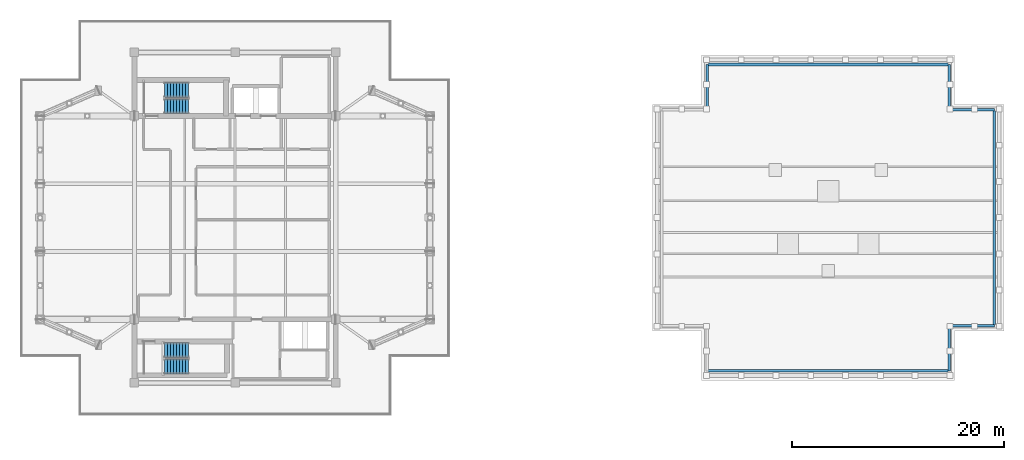
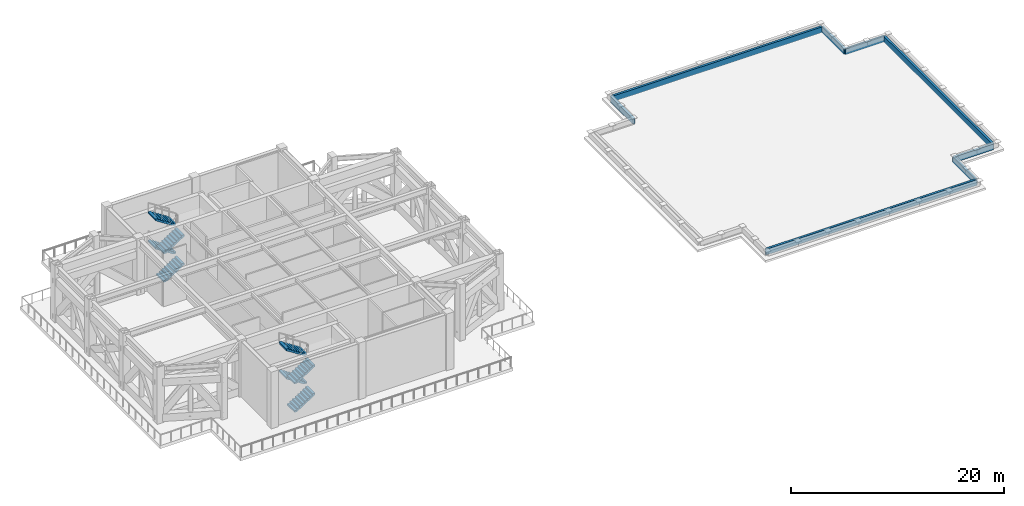
# One storey, part 7 of 11: 8 stair flights, 8 walls, 2 elements without a shape of their own.
"""IFC4 building model written with IfcOpenShell, lengths in metres."""

from ifc_helpers import new_model, si_unit, direction, frame, frame_2d, origin, place, context, subcontext, project, spatial, polyline, rectangle, outline, extrude, material, layer, layer_set, type_object, element, aggregate, save


model = new_model("IFC4")

# Units and contexts
model_context = context("Model", 3, precision=1e-05, world=origin(), true_north=direction((0.0, 1.0)))
body_context = subcontext(model_context, "Body", "Model", "MODEL_VIEW")
ifc_project = project(units=[si_unit("LENGTHUNIT", "METRE"), si_unit("AREAUNIT", "SQUARE_METRE"), si_unit("VOLUMEUNIT", "CUBIC_METRE"), si_unit("PLANEANGLEUNIT", "RADIAN"), si_unit("MASSUNIT", "GRAM", prefix="KILO")], contexts=[model_context])

# Site, building, storey
site_placement = place(None, origin())
site = spatial("IfcSite", under=ifc_project, at=site_placement, CompositionType="ELEMENT")
building_placement = place(site_placement, origin())
building = spatial("IfcBuilding", under=site, at=building_placement, Name="Mirazonda Arch Towers", CompositionType="ELEMENT")
storey_placement = place(building_placement, frame((0.0, 0.0, 212.89990234375)))
storey = spatial("IfcBuildingStorey", under=building, at=storey_placement, Name="L61", CompositionType="ELEMENT", Elevation=212.89990234375)

# Walls
ifc_material = material(Name="Concrete C40/50", Category="concrete")
ifc_layer = layer(ifc_material, 0.239990234375, Name="WALL-PARAPET-240")
ifc_layer_set = layer_set([ifc_layer], Name="Concrete C40/50")
wall_type = type_object("IfcWallType", Name="WALL-PARAPET-240", PredefinedType="PARAPET", material=ifc_layer_set)
wall_1_placement = place(storey_placement, frame((65.062255859375, 13.54150390625, 0.0), z_axis=(0.0, 0.0, 1.0), x_axis=(1.0, 0.0, 0.0)))
element("IfcWall", 1, at=wall_1_placement, inside=storey, type_object=wall_type, Name="T2 Crown Roof Maintenance Parapet 01", PredefinedType="PARAPET", context=body_context, shape_type="SweptSolid", body=[
    extrude(rectangle(XDim=22.87548828125, YDim=0.239990234375, at=frame_2d((11.437744140625, 0.0))), origin(), (0.0, 0.0, 1.0), 0.650146484375),
])
for number, where, z_axis, x_axis, name in (
    (2, (87.937744140625, 13.54150390625, 0.0), (0.0, 0.0, 1.0), (0.0, 1.0, 0.0), "T2 Crown Roof Maintenance Parapet 02"),
    (3, (87.937744140625, 17.80126953125, 0.0), (0.0, 0.0, 1.0), (1.0, 0.0, 0.0), "T2 Crown Roof Maintenance Parapet 03"),
):
    element("IfcWall", number, at=place(storey_placement, frame(where, z_axis=z_axis, x_axis=x_axis)), inside=storey, type_object=wall_type, Name=name, PredefinedType="PARAPET", context=body_context, shape_type="SweptSolid", body=[
        extrude(rectangle(XDim=4.259765625, YDim=0.239990234375, at=frame_2d((2.1298828125, 0.0))), origin(), (0.0, 0.0, 1.0), 0.650146484375),
    ])
wall_2_placement = place(storey_placement, frame((92.197509765625, 17.80126953125, 0.0), z_axis=(0.0, 0.0, 1.0), x_axis=(0.0, 1.0, 0.0)))
element("IfcWall", 4, at=wall_2_placement, inside=storey, type_object=wall_type, Name="T2 Crown Roof Maintenance Parapet 04", PredefinedType="PARAPET", context=body_context, shape_type="SweptSolid", body=[
    extrude(rectangle(XDim=20.3974609375, YDim=0.239990234375, at=frame_2d((10.19873046875, 0.0))), origin(), (0.0, 0.0, 1.0), 0.650146484375),
])
for number, where, z_axis, x_axis, name in (
    (5, (92.197509765625, 38.19873046875, 0.0), (0.0, 0.0, 1.0), (-1.0, 0.0, 0.0), "T2 Crown Roof Maintenance Parapet 05"),
    (6, (87.937744140625, 38.19873046875, 0.0), (0.0, 0.0, 1.0), (0.0, 1.0, 0.0), "T2 Crown Roof Maintenance Parapet 06"),
):
    element("IfcWall", number, at=place(storey_placement, frame(where, z_axis=z_axis, x_axis=x_axis)), inside=storey, type_object=wall_type, Name=name, PredefinedType="PARAPET", context=body_context, shape_type="SweptSolid", body=[
        extrude(rectangle(XDim=4.259765625, YDim=0.239990234375, at=frame_2d((2.1298828125, 0.0))), origin(), (0.0, 0.0, 1.0), 0.650146484375),
    ])
wall_3_placement = place(storey_placement, frame((87.937744140625, 42.45849609375, 0.0), z_axis=(0.0, 0.0, 1.0), x_axis=(-1.0, 0.0, 0.0)))
element("IfcWall", 7, at=wall_3_placement, inside=storey, type_object=wall_type, Name="T2 Crown Roof Maintenance Parapet 07", PredefinedType="PARAPET", context=body_context, shape_type="SweptSolid", body=[
    extrude(rectangle(XDim=22.87548828125, YDim=0.239990234375, at=frame_2d((11.437744140625, 0.0))), origin(), (0.0, 0.0, 1.0), 0.650146484375),
])
wall_4_placement = place(storey_placement, frame((65.062255859375, 42.45849609375, 0.0), z_axis=(0.0, 0.0, 1.0), x_axis=(0.0, -1.0, 0.0)))
element("IfcWall", 8, at=wall_4_placement, inside=storey, type_object=wall_type, Name="T2 Crown Roof Maintenance Parapet 08", PredefinedType="PARAPET", context=body_context, shape_type="SweptSolid", body=[
    extrude(rectangle(XDim=4.259765625, YDim=0.239990234375, at=frame_2d((2.1298828125, 0.0))), origin(), (0.0, 0.0, 1.0), 0.650146484375),
])

# Stair, stair flights
stair_type = type_object("IfcStairType", Name="STAIR-CORE-1400", PredefinedType="HALF_TURN_STAIR", material=ifc_material)
stair_1_placement = place(storey_placement, origin())
stair_1 = element("IfcStair", 9, at=stair_1_placement, inside=storey, type_object=stair_type, Name="L61 Protected Exit Stair ST-T1N", PredefinedType="HALF_TURN_STAIR")
stair_flight_type = type_object("IfcStairFlightType", Name="FLIGHT-1400", PredefinedType="STRAIGHT", material=ifc_material)
stair_flight_1_placement = place(storey_placement, frame((13.85009765625, 38.52001953125, 0.0), z_axis=(0.0, 0.0, 1.0), x_axis=(1.0, 0.0, 0.0)))
stair_flight_1 = element("IfcStairFlight", 10, at=stair_flight_1_placement, type_object=stair_flight_type, Name="ST-T1N flight 1", NumberOfRisers=9, NumberOfTreads=8, PredefinedType="STRAIGHT", RiserHeight=0.180555556, TreadLength=0.28, context=body_context, shape_type="SweptSolid", body=[
    extrude(outline(polyline([(0.0, 0.0), (0.0, 0.1806640625), (0.280029296875, 0.1806640625), (0.280029296875, 0.361083984375), (0.56005859375, 0.361083984375), (0.56005859375, 0.541748046875), (0.840087890625, 0.541748046875), (0.840087890625, 0.72216796875), (1.1201171875, 0.72216796875), (1.1201171875, 0.90283203125), (1.39990234375, 0.90283203125), (1.39990234375, 1.083251953125), (1.679931640625, 1.083251953125), (1.679931640625, 1.263916015625), (1.9599609375, 1.263916015625), (1.9599609375, 1.4443359375), (2.239990234375, 1.4443359375), (2.239990234375, 1.625), (2.239990234375, 1.254150390625), (0.295166015625, 0.0), (0.0, 0.0)])), frame((0.0, 0.699951171875, 0.0), z_axis=(0.0, -1.0, 0.0), x_axis=(1.0, 0.0, 0.0)), (0.0, 0.0, 1.0), 1.39990234375),
])
stair_flight_2_placement = place(storey_placement, frame((16.090087890625, 40.06005859375, 1.625), z_axis=(0.0, 0.0, 1.0), x_axis=(-1.0, 0.0, 0.0)))
stair_flight_2 = element("IfcStairFlight", 11, at=stair_flight_2_placement, type_object=stair_flight_type, Name="ST-T1N flight 2", NumberOfRisers=9, NumberOfTreads=8, PredefinedType="STRAIGHT", RiserHeight=0.180555556, TreadLength=0.28, context=body_context, shape_type="SweptSolid", body=[
    extrude(outline(polyline([(0.0, 0.0), (0.0, 0.1806640625), (0.280029296875, 0.1806640625), (0.280029296875, 0.361083984375), (0.56005859375, 0.361083984375), (0.56005859375, 0.541748046875), (0.840087890625, 0.541748046875), (0.840087890625, 0.72216796875), (1.1201171875, 0.72216796875), (1.1201171875, 0.90283203125), (1.39990234375, 0.90283203125), (1.39990234375, 1.083251953125), (1.679931640625, 1.083251953125), (1.679931640625, 1.263916015625), (1.9599609375, 1.263916015625), (1.9599609375, 1.4443359375), (2.239990234375, 1.4443359375), (2.239990234375, 1.625), (2.239990234375, 1.254150390625), (0.295166015625, 0.0), (0.0, 0.0)])), frame((0.0, 0.699951171875, 0.0), z_axis=(0.0, -1.0, 0.0), x_axis=(1.0, 0.0, 0.0)), (0.0, 0.0, 1.0), 1.39990234375),
])
stair_flight_3_placement = place(storey_placement, frame((13.85009765625, 38.52001953125, 3.25), z_axis=(0.0, 0.0, 1.0), x_axis=(1.0, 0.0, 0.0)))
stair_flight_3 = element("IfcStairFlight", 12, at=stair_flight_3_placement, type_object=stair_flight_type, Name="ST-T1N flight 3", NumberOfRisers=9, NumberOfTreads=8, PredefinedType="STRAIGHT", RiserHeight=0.180555556, TreadLength=0.28, context=body_context, shape_type="SweptSolid", body=[
    extrude(outline(polyline([(0.0, 0.0), (0.0, 0.1806640625), (0.280029296875, 0.1806640625), (0.280029296875, 0.361083984375), (0.56005859375, 0.361083984375), (0.56005859375, 0.541748046875), (0.840087890625, 0.541748046875), (0.840087890625, 0.72216796875), (1.1201171875, 0.72216796875), (1.1201171875, 0.90283203125), (1.39990234375, 0.90283203125), (1.39990234375, 1.083251953125), (1.679931640625, 1.083251953125), (1.679931640625, 1.263916015625), (1.9599609375, 1.263916015625), (1.9599609375, 1.4443359375), (2.239990234375, 1.4443359375), (2.239990234375, 1.625), (2.239990234375, 1.254150390625), (0.295166015625, 0.0), (0.0, 0.0)])), frame((0.0, 0.699951171875, 0.0), z_axis=(0.0, -1.0, 0.0), x_axis=(1.0, 0.0, 0.0)), (0.0, 0.0, 1.0), 1.39990234375),
])
stair_flight_4_placement = place(storey_placement, frame((16.090087890625, 40.06005859375, 4.875), z_axis=(0.0, 0.0, 1.0), x_axis=(-1.0, 0.0, 0.0)))
stair_flight_4 = element("IfcStairFlight", 13, at=stair_flight_4_placement, type_object=stair_flight_type, Name="ST-T1N flight 4", NumberOfRisers=9, NumberOfTreads=8, PredefinedType="STRAIGHT", RiserHeight=0.180555556, TreadLength=0.28, context=body_context, shape_type="SweptSolid", body=[
    extrude(outline(polyline([(0.0, 0.0), (0.0, 0.1806640625), (0.280029296875, 0.1806640625), (0.280029296875, 0.361083984375), (0.56005859375, 0.361083984375), (0.56005859375, 0.541748046875), (0.840087890625, 0.541748046875), (0.840087890625, 0.72216796875), (1.1201171875, 0.72216796875), (1.1201171875, 0.90283203125), (1.39990234375, 0.90283203125), (1.39990234375, 1.083251953125), (1.679931640625, 1.083251953125), (1.679931640625, 1.263916015625), (1.9599609375, 1.263916015625), (1.9599609375, 1.4443359375), (2.239990234375, 1.4443359375), (2.239990234375, 1.625), (2.239990234375, 1.254150390625), (0.295166015625, 0.0), (0.0, 0.0)])), frame((0.0, 0.699951171875, 0.0), z_axis=(0.0, -1.0, 0.0), x_axis=(1.0, 0.0, 0.0)), (0.0, 0.0, 1.0), 1.39990234375),
])
aggregate(stair_1, [stair_flight_1, stair_flight_2, stair_flight_3, stair_flight_4])

stair_2_placement = place(storey_placement, origin())
stair_2 = element("IfcStair", 14, at=stair_2_placement, inside=storey, type_object=stair_type, Name="L61 Protected Exit Stair ST-T1S", PredefinedType="HALF_TURN_STAIR")
stair_flight_5_placement = place(storey_placement, frame((13.85009765625, 13.949951171875, 0.0), z_axis=(0.0, 0.0, 1.0), x_axis=(1.0, 0.0, 0.0)))
stair_flight_5 = element("IfcStairFlight", 15, at=stair_flight_5_placement, type_object=stair_flight_type, Name="ST-T1S flight 1", NumberOfRisers=9, NumberOfTreads=8, PredefinedType="STRAIGHT", RiserHeight=0.180555556, TreadLength=0.28, context=body_context, shape_type="SweptSolid", body=[
    extrude(outline(polyline([(0.0, 0.0), (0.0, 0.1806640625), (0.280029296875, 0.1806640625), (0.280029296875, 0.361083984375), (0.56005859375, 0.361083984375), (0.56005859375, 0.541748046875), (0.840087890625, 0.541748046875), (0.840087890625, 0.72216796875), (1.1201171875, 0.72216796875), (1.1201171875, 0.90283203125), (1.39990234375, 0.90283203125), (1.39990234375, 1.083251953125), (1.679931640625, 1.083251953125), (1.679931640625, 1.263916015625), (1.9599609375, 1.263916015625), (1.9599609375, 1.4443359375), (2.239990234375, 1.4443359375), (2.239990234375, 1.625), (2.239990234375, 1.254150390625), (0.295166015625, 0.0), (0.0, 0.0)])), frame((0.0, 0.699951171875, 0.0), z_axis=(0.0, -1.0, 0.0), x_axis=(1.0, 0.0, 0.0)), (0.0, 0.0, 1.0), 1.39990234375),
])
stair_flight_6_placement = place(storey_placement, frame((16.090087890625, 15.489990234375, 1.625), z_axis=(0.0, 0.0, 1.0), x_axis=(-1.0, 0.0, 0.0)))
stair_flight_6 = element("IfcStairFlight", 16, at=stair_flight_6_placement, type_object=stair_flight_type, Name="ST-T1S flight 2", NumberOfRisers=9, NumberOfTreads=8, PredefinedType="STRAIGHT", RiserHeight=0.180555556, TreadLength=0.28, context=body_context, shape_type="SweptSolid", body=[
    extrude(outline(polyline([(0.0, 0.0), (0.0, 0.1806640625), (0.280029296875, 0.1806640625), (0.280029296875, 0.361083984375), (0.56005859375, 0.361083984375), (0.56005859375, 0.541748046875), (0.840087890625, 0.541748046875), (0.840087890625, 0.72216796875), (1.1201171875, 0.72216796875), (1.1201171875, 0.90283203125), (1.39990234375, 0.90283203125), (1.39990234375, 1.083251953125), (1.679931640625, 1.083251953125), (1.679931640625, 1.263916015625), (1.9599609375, 1.263916015625), (1.9599609375, 1.4443359375), (2.239990234375, 1.4443359375), (2.239990234375, 1.625), (2.239990234375, 1.254150390625), (0.295166015625, 0.0), (0.0, 0.0)])), frame((0.0, 0.699951171875, 0.0), z_axis=(0.0, -1.0, 0.0), x_axis=(1.0, 0.0, 0.0)), (0.0, 0.0, 1.0), 1.39990234375),
])
stair_flight_7_placement = place(storey_placement, frame((13.85009765625, 13.949951171875, 3.25), z_axis=(0.0, 0.0, 1.0), x_axis=(1.0, 0.0, 0.0)))
stair_flight_7 = element("IfcStairFlight", 17, at=stair_flight_7_placement, type_object=stair_flight_type, Name="ST-T1S flight 3", NumberOfRisers=9, NumberOfTreads=8, PredefinedType="STRAIGHT", RiserHeight=0.180555556, TreadLength=0.28, context=body_context, shape_type="SweptSolid", body=[
    extrude(outline(polyline([(0.0, 0.0), (0.0, 0.1806640625), (0.280029296875, 0.1806640625), (0.280029296875, 0.361083984375), (0.56005859375, 0.361083984375), (0.56005859375, 0.541748046875), (0.840087890625, 0.541748046875), (0.840087890625, 0.72216796875), (1.1201171875, 0.72216796875), (1.1201171875, 0.90283203125), (1.39990234375, 0.90283203125), (1.39990234375, 1.083251953125), (1.679931640625, 1.083251953125), (1.679931640625, 1.263916015625), (1.9599609375, 1.263916015625), (1.9599609375, 1.4443359375), (2.239990234375, 1.4443359375), (2.239990234375, 1.625), (2.239990234375, 1.254150390625), (0.295166015625, 0.0), (0.0, 0.0)])), frame((0.0, 0.699951171875, 0.0), z_axis=(0.0, -1.0, 0.0), x_axis=(1.0, 0.0, 0.0)), (0.0, 0.0, 1.0), 1.39990234375),
])
stair_flight_8_placement = place(storey_placement, frame((16.090087890625, 15.489990234375, 4.875), z_axis=(0.0, 0.0, 1.0), x_axis=(-1.0, 0.0, 0.0)))
stair_flight_8 = element("IfcStairFlight", 18, at=stair_flight_8_placement, type_object=stair_flight_type, Name="ST-T1S flight 4", NumberOfRisers=9, NumberOfTreads=8, PredefinedType="STRAIGHT", RiserHeight=0.180555556, TreadLength=0.28, context=body_context, shape_type="SweptSolid", body=[
    extrude(outline(polyline([(0.0, 0.0), (0.0, 0.1806640625), (0.280029296875, 0.1806640625), (0.280029296875, 0.361083984375), (0.56005859375, 0.361083984375), (0.56005859375, 0.541748046875), (0.840087890625, 0.541748046875), (0.840087890625, 0.72216796875), (1.1201171875, 0.72216796875), (1.1201171875, 0.90283203125), (1.39990234375, 0.90283203125), (1.39990234375, 1.083251953125), (1.679931640625, 1.083251953125), (1.679931640625, 1.263916015625), (1.9599609375, 1.263916015625), (1.9599609375, 1.4443359375), (2.239990234375, 1.4443359375), (2.239990234375, 1.625), (2.239990234375, 1.254150390625), (0.295166015625, 0.0), (0.0, 0.0)])), frame((0.0, 0.699951171875, 0.0), z_axis=(0.0, -1.0, 0.0), x_axis=(1.0, 0.0, 0.0)), (0.0, 0.0, 1.0), 1.39990234375),
])
aggregate(stair_2, [stair_flight_5, stair_flight_6, stair_flight_7, stair_flight_8])

save(model, "model.ifc")
